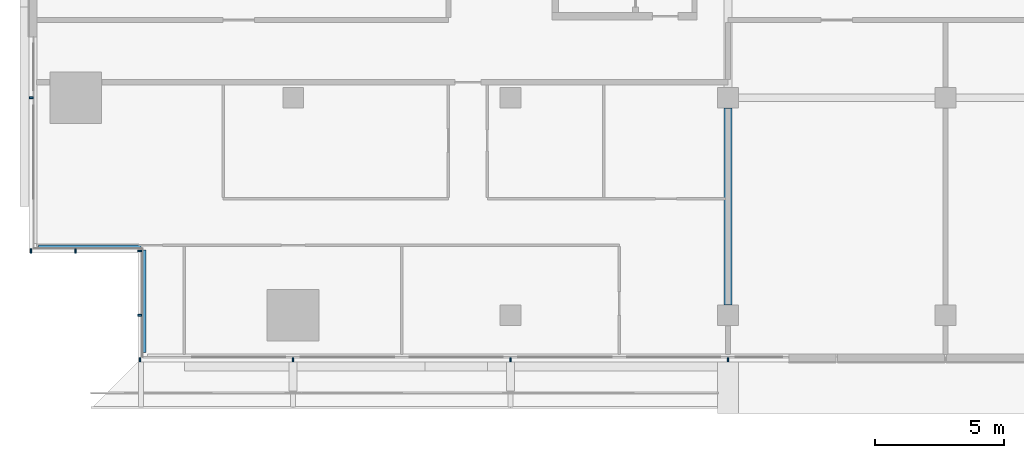
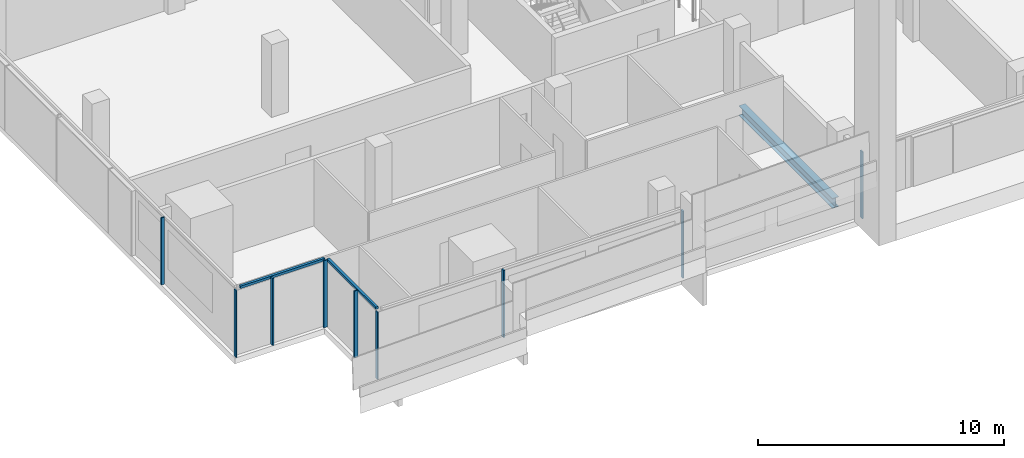
# One storey, part 2 of 30: 11 members, 1 beam, 4 elements without a shape of their own.
"""IFC4 building model written with IfcOpenShell, lengths in metres."""

from ifc_helpers import new_model, si_unit, direction, frame, origin, origin_2d, place, context, subcontext, project, spatial, rectangle, i_section, extrude, material, material_profile, profile_set, type_object, element, aggregate, save


model = new_model("IFC4")

# Units and contexts
model_context = context("Model", 3, precision=1e-05, world=origin(), true_north=direction((0.0, 1.0)))
body_context = subcontext(model_context, "Body", "Model", "MODEL_VIEW")
ifc_project = project(units=[si_unit("LENGTHUNIT", "METRE"), si_unit("AREAUNIT", "SQUARE_METRE"), si_unit("VOLUMEUNIT", "CUBIC_METRE"), si_unit("PLANEANGLEUNIT", "RADIAN"), si_unit("MASSUNIT", "GRAM", prefix="KILO")], contexts=[model_context])

# Site, building, storey
site_placement = place(None, origin())
site = spatial("IfcSite", under=ifc_project, at=site_placement, CompositionType="ELEMENT")
building_placement = place(site_placement, origin())
building = spatial("IfcBuilding", under=site, at=building_placement, Name="Saffron Gate Tower", CompositionType="ELEMENT")
storey_placement = place(building_placement, frame((0.0, 0.0, 95.25)))
storey = spatial("IfcBuildingStorey", under=building, at=storey_placement, Name="L21", CompositionType="ELEMENT", Elevation=95.25)

# Beam
ifc_material_1 = material(Name="Structural steel S355", Category="steel")
ifc_material_profile_1 = material_profile(ifc_material_1, i_section(OverallWidth=0.300048828125, OverallDepth=0.489990234375, WebThickness=0.011962890625, FlangeThickness=0.02294921875, FilletRadius=0.027099609375, at=origin_2d()))
ifc_profile_set_1 = profile_set([ifc_material_profile_1], Name="Structural steel S355")
beam_type = type_object("IfcBeamType", Name="B8 HEA 500", PredefinedType="BEAM", material=ifc_profile_set_1)
beam_placement = place(storey_placement, frame((75.0, 32.199951171875, -0.52490234375), z_axis=(0.0, 1.0, 0.0), x_axis=(-1.0, 0.0, 0.0)))
element("IfcBeam", 1, at=beam_placement, inside=storey, type_object=beam_type, Name="B8 FLOOR GIRDER", PredefinedType="BEAM", context=body_context, shape_type="SweptSolid", body=[
    extrude(i_section(OverallWidth=0.300048828125, OverallDepth=0.489990234375, WebThickness=0.011962890625, FlangeThickness=0.02294921875, FilletRadius=0.027099609375, at=origin_2d()), origin(), (0.0, 0.0, 1.0), 7.60009765625),
])

# Curtain wall, members
ifc_material_2 = material(Name="Aluminium, bronze anodised", Category="aluminium")
curtain_wall_type_1 = type_object("IfcCurtainWallType", Name="CWS1 curtain wall front facade", PredefinedType="NOTDEFINED", material=ifc_material_2)
curtain_wall_1_placement = place(storey_placement, origin())
curtain_wall_1 = element("IfcCurtainWall", 2, at=curtain_wall_1_placement, inside=storey, type_object=curtain_wall_type_1, Name="CWS1 run 1", PredefinedType="NOTDEFINED")
ifc_material_profile_2 = material_profile(ifc_material_2, rectangle(XDim=0.159912109375, YDim=0.06005859375, at=origin_2d()))
ifc_profile_set_2 = profile_set([ifc_material_profile_2], Name="Aluminium, bronze anodised")
member_type_1 = type_object("IfcMemberType", Name="CWS1 mullion 60x160", PredefinedType="MULLION", material=ifc_profile_set_2)
member_1_placement = place(storey_placement, frame((52.280029296875, 30.080078125, 0.0), z_axis=(0.0, 0.0, 1.0), x_axis=(0.0, 1.0, 0.0)))
member_1 = element("IfcMember", 3, at=member_1_placement, type_object=member_type_1, Name="CWS1 mullion 1", PredefinedType="MULLION", context=body_context, shape_type="SweptSolid", body=[
    extrude(rectangle(XDim=0.159912109375, YDim=0.06005859375, at=origin_2d()), origin(), (0.0, 0.0, 1.0), 3.320068359375),
])
member_2_placement = place(storey_placement, frame((58.199951171875, 30.080078125, 0.0), z_axis=(0.0, 0.0, 1.0), x_axis=(0.0, 1.0, 0.0)))
member_2 = element("IfcMember", 4, at=member_2_placement, type_object=member_type_1, Name="CWS1 mullion 2", PredefinedType="MULLION", context=body_context, shape_type="SweptSolid", body=[
    extrude(rectangle(XDim=0.159912109375, YDim=0.06005859375, at=origin_2d()), origin(), (0.0, 0.0, 1.0), 3.320068359375),
])
member_3_placement = place(storey_placement, frame((66.60009765625, 30.080078125, 0.0), z_axis=(0.0, 0.0, 1.0), x_axis=(0.0, 1.0, 0.0)))
member_3 = element("IfcMember", 5, at=member_3_placement, type_object=member_type_1, Name="CWS1 mullion 3", PredefinedType="MULLION", context=body_context, shape_type="SweptSolid", body=[
    extrude(rectangle(XDim=0.159912109375, YDim=0.06005859375, at=origin_2d()), origin(), (0.0, 0.0, 1.0), 3.320068359375),
])
member_4_placement = place(storey_placement, frame((75.0, 30.080078125, 0.0), z_axis=(0.0, 0.0, 1.0), x_axis=(0.0, 1.0, 0.0)))
member_4 = element("IfcMember", 6, at=member_4_placement, type_object=member_type_1, Name="CWS1 mullion 4", PredefinedType="MULLION", context=body_context, shape_type="SweptSolid", body=[
    extrude(rectangle(XDim=0.159912109375, YDim=0.06005859375, at=origin_2d()), origin(), (0.0, 0.0, 1.0), 3.320068359375),
])
aggregate(curtain_wall_1, [member_1, member_2, member_3, member_4])

# Curtain wall, member
curtain_wall_type_2 = type_object("IfcCurtainWallType", Name="CWS2 curtain wall side facades", PredefinedType="NOTDEFINED", material=ifc_material_2)
curtain_wall_2_placement = place(storey_placement, origin())
curtain_wall_2 = element("IfcCurtainWall", 7, at=curtain_wall_2_placement, inside=storey, type_object=curtain_wall_type_2, Name="CWS2 run 10", PredefinedType="NOTDEFINED")
ifc_material_profile_3 = material_profile(ifc_material_2, rectangle(XDim=0.159912109375, YDim=0.06005859375, at=origin_2d()))
ifc_profile_set_3 = profile_set([ifc_material_profile_3], Name="Aluminium, bronze anodised")
member_type_2 = type_object("IfcMemberType", Name="CWS2 mullion 60x160", PredefinedType="MULLION", material=ifc_profile_set_3)
member_5_placement = place(storey_placement, frame((48.080078125, 40.199951171875, 0.0), z_axis=(0.0, 0.0, 1.0), x_axis=(1.0, 0.0, 0.0)))
member_5 = element("IfcMember", 8, at=member_5_placement, type_object=member_type_2, Name="CWS2 mullion 5", PredefinedType="MULLION", context=body_context, shape_type="SweptSolid", body=[
    extrude(rectangle(XDim=0.159912109375, YDim=0.06005859375, at=origin_2d()), origin(), (0.0, 0.0, 1.0), 3.320068359375),
])
aggregate(curtain_wall_2, [member_5])

curtain_wall_type_3 = type_object("IfcCurtainWallType", Name="CWS4 curtain wall corner returns", PredefinedType="NOTDEFINED", material=ifc_material_2)
curtain_wall_3_placement = place(storey_placement, origin())
curtain_wall_3 = element("IfcCurtainWall", 9, at=curtain_wall_3_placement, inside=storey, type_object=curtain_wall_type_3, Name="CWS4 run 11", PredefinedType="NOTDEFINED")
ifc_material_profile_4 = material_profile(ifc_material_2, rectangle(XDim=0.1201171875, YDim=0.1201171875, at=origin_2d()))
ifc_profile_set_4 = profile_set([ifc_material_profile_4], Name="Aluminium, bronze anodised")
member_type_3 = type_object("IfcMemberType", Name="CWS4 head transom", PredefinedType="USERDEFINED", material=ifc_profile_set_4)
member_6_placement = place(storey_placement, frame((48.367919921875, 34.447998046875, 3.260009765625), z_axis=(1.0, 0.0, 0.0), x_axis=(0.0, 1.0, 0.0)))
member_6 = element("IfcMember", 10, at=member_6_placement, type_object=member_type_3, Name="CWS4 head transom", ObjectType="TRANSOM", PredefinedType="USERDEFINED", context=body_context, shape_type="SweptSolid", body=[
    extrude(rectangle(XDim=0.1201171875, YDim=0.1201171875, at=origin_2d()), origin(), (0.0, 0.0, 1.0), 3.9599609375),
])

curtain_wall_4_placement = place(storey_placement, origin())
curtain_wall_4 = element("IfcCurtainWall", 11, at=curtain_wall_4_placement, inside=storey, type_object=curtain_wall_type_3, Name="CWS4 run 12", PredefinedType="NOTDEFINED")
member_7_placement = place(storey_placement, frame((52.447998046875, 34.327880859375, 3.260009765625), z_axis=(0.0, -1.0, 0.0), x_axis=(1.0, 0.0, 0.0)))
member_7 = element("IfcMember", 12, at=member_7_placement, type_object=member_type_3, Name="CWS4 head transom", ObjectType="TRANSOM", PredefinedType="USERDEFINED", context=body_context, shape_type="SweptSolid", body=[
    extrude(rectangle(XDim=0.1201171875, YDim=0.1201171875, at=origin_2d()), origin(), (0.0, 0.0, 1.0), 3.9599609375),
])

# Member
ifc_material_profile_5 = material_profile(ifc_material_2, rectangle(XDim=0.159912109375, YDim=0.06005859375, at=origin_2d()))
ifc_profile_set_5 = profile_set([ifc_material_profile_5], Name="Aluminium, bronze anodised")
member_type_4 = type_object("IfcMemberType", Name="CWS4 mullion 60x160", PredefinedType="MULLION", material=ifc_profile_set_5)
member_8_placement = place(storey_placement, frame((48.080078125, 34.280029296875, 0.0), z_axis=(0.0, 0.0, 1.0), x_axis=(0.0, 1.0, 0.0)))
member_8 = element("IfcMember", 13, at=member_8_placement, type_object=member_type_4, Name="CWS4 mullion 1", PredefinedType="MULLION", context=body_context, shape_type="SweptSolid", body=[
    extrude(rectangle(XDim=0.159912109375, YDim=0.06005859375, at=origin_2d()), origin(), (0.0, 0.0, 1.0), 3.320068359375),
])

member_9_placement = place(storey_placement, frame((49.800048828125, 34.280029296875, 0.0), z_axis=(0.0, 0.0, 1.0), x_axis=(0.0, 1.0, 0.0)))
member_9 = element("IfcMember", 14, at=member_9_placement, type_object=member_type_4, Name="CWS4 mullion 2", PredefinedType="MULLION", context=body_context, shape_type="SweptSolid", body=[
    extrude(rectangle(XDim=0.159912109375, YDim=0.06005859375, at=origin_2d()), origin(), (0.0, 0.0, 1.0), 3.320068359375),
])

aggregate(curtain_wall_3, [member_8, member_9, member_6])

member_10_placement = place(storey_placement, frame((52.280029296875, 34.280029296875, 0.0), z_axis=(0.0, 0.0, 1.0), x_axis=(1.0, 0.0, 0.0)))
member_10 = element("IfcMember", 15, at=member_10_placement, type_object=member_type_4, Name="CWS4 mullion 1", PredefinedType="MULLION", context=body_context, shape_type="SweptSolid", body=[
    extrude(rectangle(XDim=0.159912109375, YDim=0.06005859375, at=origin_2d()), origin(), (0.0, 0.0, 1.0), 3.320068359375),
])

member_11_placement = place(storey_placement, frame((52.280029296875, 31.800048828125, 0.0), z_axis=(0.0, 0.0, 1.0), x_axis=(1.0, 0.0, 0.0)))
member_11 = element("IfcMember", 16, at=member_11_placement, type_object=member_type_4, Name="CWS4 mullion 2", PredefinedType="MULLION", context=body_context, shape_type="SweptSolid", body=[
    extrude(rectangle(XDim=0.159912109375, YDim=0.06005859375, at=origin_2d()), origin(), (0.0, 0.0, 1.0), 3.320068359375),
])

aggregate(curtain_wall_4, [member_10, member_11, member_7])

save(model, "model.ifc")
